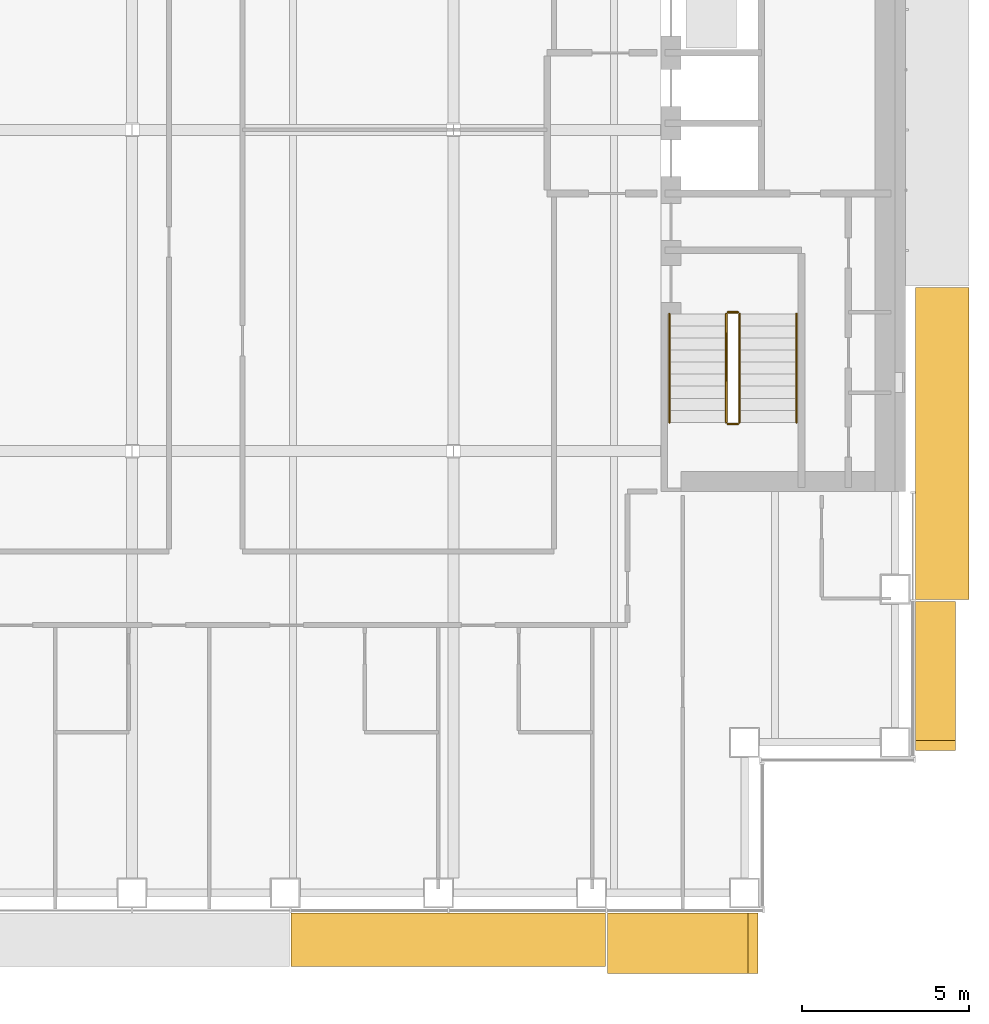
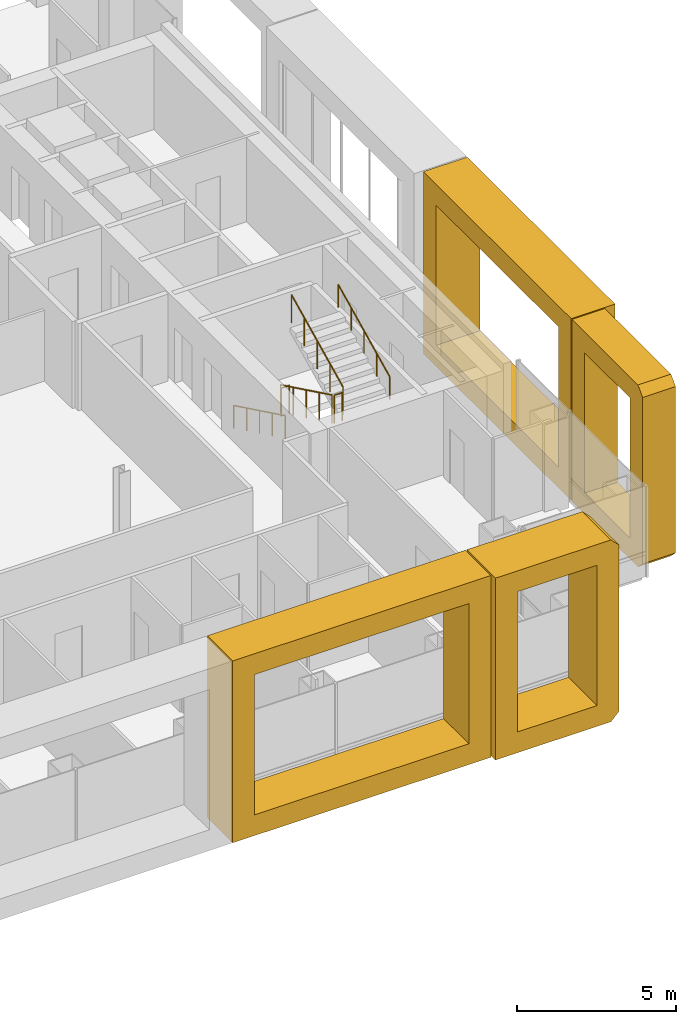
# One storey, part 17 of 20: 6 railings, 4 coverings.
"""IFC4 building model written with IfcOpenShell, lengths in metres."""

import ifcopenshell
import ifcopenshell.guid

model = None  # the IFC model being written
_history = None  # IfcOwnerHistory: only IFC2X3 demands one
_inside = {}  # id of a spatial element -> (the spatial element, [elements in it])
_under = {}  # id of a project, library or spatial element -> (it, [spatial elements below it])
_declared = {}  # id of a project -> (the project, [libraries it declares])
_typed = {}  # id of a type object -> (the type object, [elements of that type])
_made_of = {}  # id of a material, layer set ... -> (it, [elements and type objects made of it])


def new_model(schema):
    """Start an empty IFC model of exactly this schema.

    Asked for "IFC4X3", IfcOpenShell would pick the latest addendum, in which some entities
    have other attributes; the version numbers below select the first issue.
    IFC2X3 requires an IfcOwnerHistory on every rooted entity: one is made here for all.
    """
    global model, _history
    if schema == "IFC4X3":
        model = ifcopenshell.file(schema_version=(4, 3, 0, 0))
    else:
        model = ifcopenshell.file(schema=schema)
    _inside.clear()
    _under.clear()
    _declared.clear()
    _typed.clear()
    _made_of.clear()
    _history = None
    if model.schema == "IFC2X3":
        org = make("IfcOrganization", Name="unknown")
        user = make(
            "IfcPersonAndOrganization",
            ThePerson=make("IfcPerson", FamilyName="unknown"),
            TheOrganization=org,
        )
        app = make(
            "IfcApplication",
            ApplicationDeveloper=org,
            Version="unknown",
            ApplicationFullName="unknown",
            ApplicationIdentifier="unknown",
        )
        _history = make(
            "IfcOwnerHistory",
            OwningUser=user,
            OwningApplication=app,
            ChangeAction="ADDED",
            CreationDate=0,
        )
    return model


def make(cls, **values):
    """One entity of the class cls with the attributes given. An attribute that is None is left unset."""
    return model.create_entity(
        cls, **{name: value for name, value in values.items() if value is not None}
    )


def rooted(cls, **values):
    """An entity with a GlobalId (a new one), such as an element, a storey or a relation."""
    return make(cls, GlobalId=ifcopenshell.guid.new(), OwnerHistory=_history, **values)


def si_unit(unit_type, name, prefix=None):
    """IfcSIUnit, for example si_unit("LENGTHUNIT", "METRE", prefix="MILLI")."""
    return make("IfcSIUnit", UnitType=unit_type, Prefix=prefix, Name=name)


def assignment(units):
    """IfcUnitAssignment: the units of a project."""
    return None if units is None else make("IfcUnitAssignment", Units=units)


def point(xyz):
    """IfcCartesianPoint."""
    return None if xyz is None else make("IfcCartesianPoint", Coordinates=xyz)


def direction(xyz):
    """IfcDirection."""
    return None if xyz is None else make("IfcDirection", DirectionRatios=xyz)


def frame(location, z_axis=None, x_axis=None):
    """IfcAxis2Placement3D, a coordinate frame: its origin and axes. An axis left out is left unset."""
    return make(
        "IfcAxis2Placement3D",
        Location=point(location),
        Axis=direction(z_axis),
        RefDirection=direction(x_axis),
    )


def frame_2d(location, x_axis=None):
    """IfcAxis2Placement2D, a coordinate frame in the plane: its origin and x axis."""
    return make(
        "IfcAxis2Placement2D", Location=point(location), RefDirection=direction(x_axis)
    )


def origin():
    """The frame at (0, 0, 0) with its axes left unset."""
    return frame((0.0, 0.0, 0.0))


def origin_2d():
    """The frame at (0, 0) in the plane with its x axis left unset."""
    return frame_2d((0.0, 0.0))


def place(relative_to, where):
    """IfcLocalPlacement: puts the frame where relative to a parent placement (None: the world)."""
    return make(
        "IfcLocalPlacement", PlacementRelTo=relative_to, RelativePlacement=where
    )


def context(
    kind, dimensions, precision=None, world=None, true_north=None, identifier=None
):
    """IfcGeometricRepresentationContext, for example the 3D "Model" context."""
    return make(
        "IfcGeometricRepresentationContext",
        ContextIdentifier=identifier,
        ContextType=kind,
        CoordinateSpaceDimension=dimensions,
        Precision=precision,
        WorldCoordinateSystem=world,
        TrueNorth=true_north,
    )


def subcontext(parent, identifier, kind, view, scale=None):
    """IfcGeometricRepresentationSubContext, for example "Body" below "Model"."""
    return make(
        "IfcGeometricRepresentationSubContext",
        ContextIdentifier=identifier,
        ContextType=kind,
        ParentContext=parent,
        TargetScale=scale,
        TargetView=view,
    )


def project(units=None, contexts=None):
    """IfcProject with its units and contexts."""
    return rooted(
        "IfcProject",
        Name="project",
        RepresentationContexts=contexts,
        UnitsInContext=assignment(units),
    )


def spatial(cls, under=None, at=None, **own):
    """A site, building, storey or space (cls), placed at a placement, below another one or the project."""
    s = rooted(cls, ObjectPlacement=at, **own)
    if under is not None:
        _under.setdefault(under.id(), (under, []))[1].append(s)
    return s


def polyline(points):
    """IfcPolyline through the points."""
    return make("IfcPolyline", Points=[point(p) for p in points])


def profile(cls, at=None, kind="AREA", **sizes):
    """A parametric profile (cls). Its sizes go by their IFC names, for example OverallWidth=200.0."""
    return make(cls, ProfileType=kind, Position=at, **sizes)


def circle(**sizes):
    """IfcCircleProfileDef."""
    return profile("IfcCircleProfileDef", **sizes)


def outline(outer, holes=None, kind="AREA"):
    """IfcArbitraryClosedProfileDef: a profile drawn as a closed curve; with holes, ...WithVoids."""
    if holes is None:
        return make("IfcArbitraryClosedProfileDef", ProfileType=kind, OuterCurve=outer)
    return make(
        "IfcArbitraryProfileDefWithVoids",
        ProfileType=kind,
        OuterCurve=outer,
        InnerCurves=holes,
    )


def extrude(swept, where, along, depth):
    """IfcExtrudedAreaSolid: the profile swept, set in the frame where, extruded along a direction by depth."""
    return make(
        "IfcExtrudedAreaSolid",
        SweptArea=swept,
        Position=where,
        ExtrudedDirection=direction(along),
        Depth=depth,
    )


def shape(context_of_items, identifier, shape_type, items):
    """IfcShapeRepresentation: the items that make up one representation, for example the "Body"."""
    return make(
        "IfcShapeRepresentation",
        ContextOfItems=context_of_items,
        RepresentationIdentifier=identifier,
        RepresentationType=shape_type,
        Items=items,
    )


def material(Name=None, Category=None):
    """IfcMaterial."""
    return make("IfcMaterial", Name=Name, Category=Category)


def made_of(thing, what):
    """Note that an element or type object is made of a material, layer set ...; save() writes the relation."""
    if what is not None:
        _made_of.setdefault(what.id(), (what, []))[1].append(thing)
    return thing


def type_object(cls, material=None, **own):
    """A type object (cls), such as IfcWallType, which elements share."""
    return made_of(rooted(cls, **own), material)


def element(
    cls,
    number,
    at=None,
    inside=None,
    cuts=None,
    type_object=None,
    material=None,
    context=None,
    identifier="Body",
    shape_type=None,
    held_by="IfcProductDefinitionShape",
    body=None,
    shapes=None,
    **own,
):
    """One element of the class cls, such as IfcWall. Its Tag is "e" and its number.

    at: its placement. inside: the storey or other place that contains it. cuts: it is an
    opening in that element (IfcRelVoidsElement). A single representation is given by context,
    identifier, shape_type and body (its items); several are given by shapes. held_by: the class
    of the entity that holds the representations. save() writes the other relations.
    """
    e = rooted(cls, Tag="e%d" % number, ObjectPlacement=at, **own)
    if body is not None:
        shapes = [shape(context, identifier, shape_type, body)]
    if shapes is not None:
        e.Representation = make(held_by, Representations=shapes)
    if inside is not None:
        _inside.setdefault(inside.id(), (inside, []))[1].append(e)
    if cuts is not None:
        rooted(
            "IfcRelVoidsElement", RelatingBuildingElement=cuts, RelatedOpeningElement=e
        )
    if type_object is not None:
        _typed.setdefault(type_object.id(), (type_object, []))[1].append(e)
    return made_of(e, material)


def aggregate(whole, parts):
    """IfcRelAggregates: a whole, such as a stair, and the parts it consists of."""
    return rooted("IfcRelAggregates", RelatingObject=whole, RelatedObjects=parts)


def save(model, path):
    """Write the relations noted so far, then the file.

    IfcRelAggregates (storeys below a building ...), IfcRelContainedInSpatialStructure (elements
    in a storey), IfcRelDefinesByType, IfcRelAssociatesMaterial and IfcRelDeclares: one each for
    every whole, place, type object, material and project.
    """
    for whole, parts in _under.values():
        aggregate(whole, parts)
    for where, things in _inside.values():
        rooted(
            "IfcRelContainedInSpatialStructure",
            RelatedElements=things,
            RelatingStructure=where,
        )
    for kind, things in _typed.values():
        rooted("IfcRelDefinesByType", RelatedObjects=things, RelatingType=kind)
    for what, things in _made_of.values():
        rooted("IfcRelAssociatesMaterial", RelatedObjects=things, RelatingMaterial=what)
    for by, libraries in _declared.values():
        rooted("IfcRelDeclares", RelatingContext=by, RelatedDefinitions=libraries)
    model.write(path)


model = new_model("IFC4")

# Units and contexts
model_context = context("Model", 3, precision=1e-05, world=origin(), true_north=direction((0.0, 1.0)))
body_context = subcontext(model_context, "Body", "Model", "MODEL_VIEW")
ifc_project = project(units=[si_unit("LENGTHUNIT", "METRE"), si_unit("AREAUNIT", "SQUARE_METRE"), si_unit("VOLUMEUNIT", "CUBIC_METRE"), si_unit("PLANEANGLEUNIT", "RADIAN"), si_unit("MASSUNIT", "GRAM", prefix="KILO")], contexts=[model_context])

# Site, building, storey
site_placement = place(None, origin())
site = spatial("IfcSite", under=ifc_project, at=site_placement, CompositionType="ELEMENT")
building_placement = place(site_placement, origin())
building = spatial("IfcBuilding", under=site, at=building_placement, Name="Cobrizo Arcos Hotel Tower", CompositionType="ELEMENT")
storey_placement = place(building_placement, frame((0.0, 0.0, 96.0)))
storey = spatial("IfcBuildingStorey", under=building, at=storey_placement, Name="L23", CompositionType="ELEMENT", Elevation=96.0)

# Coverings
ifc_material_1 = material(Name="Aluminium 6063-T6 anodised bronze", Category="aluminium")
covering_type_1 = type_object("IfcCoveringType", Name="FIN-F 1200", PredefinedType="CLADDING", material=ifc_material_1)
covering_1_placement = place(storey_placement, frame((23.39990234375, -18.550048828125, 0.0), z_axis=(1.0, 0.0, 0.0), x_axis=(0.0, 1.0, 0.0)))
element("IfcCovering", 1, at=covering_1_placement, inside=storey, type_object=covering_type_1, Name="Fin frame 106", PredefinedType="CLADDING", context=body_context, shape_type="SweptSolid", body=[
    extrude(outline(polyline([(0.0, 0.300048828125), (0.300048828125, 0.0), (4.46240234375, 0.0), (4.46240234375, 7.0), (0.300048828125, 7.0), (0.0, 6.699951171875), (0.0, 0.300048828125)]), holes=[polyline([(3.66259765625, 0.800048828125), (0.800048828125, 0.800048828125), (0.800048828125, 6.199951171875), (3.66259765625, 6.199951171875), (3.66259765625, 0.800048828125)])]), origin(), (0.0, 0.0, 1.0), 1.2001953125),
])
covering_type_2 = type_object("IfcCoveringType", Name="FIN-F 1600", PredefinedType="CLADDING", material=ifc_material_1)
covering_2_placement = place(storey_placement, frame((23.39990234375, -14.03759765625, 0.0), z_axis=(1.0, 0.0, 0.0), x_axis=(0.0, 1.0, 0.0)))
element("IfcCovering", 2, at=covering_2_placement, inside=storey, type_object=covering_type_2, Name="Fin frame 107", PredefinedType="CLADDING", context=body_context, shape_type="SweptSolid", body=[
    extrude(outline(polyline([(0.0, 7.0), (0.0, 0.0), (9.324951171875, 0.0), (9.324951171875, 7.0), (0.0, 7.0)]), holes=[polyline([(8.52490234375, 0.800048828125), (0.800048828125, 0.800048828125), (0.800048828125, 6.199951171875), (8.52490234375, 6.199951171875), (8.52490234375, 0.800048828125)])]), origin(), (0.0, 0.0, 1.0), 1.60009765625),
])
covering_3_placement = place(storey_placement, frame((4.75, -23.39990234375, 0.0), z_axis=(0.0, -1.0, 0.0), x_axis=(1.0, 0.0, 0.0)))
element("IfcCovering", 3, at=covering_3_placement, inside=storey, type_object=covering_type_2, Name="Fin frame 131", PredefinedType="CLADDING", context=body_context, shape_type="SweptSolid", body=[
    extrude(outline(polyline([(0.0, 7.0), (0.0, 0.0), (9.39990234375, 0.0), (9.39990234375, 7.0), (0.0, 7.0)]), holes=[polyline([(8.60009765625, 0.800048828125), (0.800048828125, 0.800048828125), (0.800048828125, 6.199951171875), (8.60009765625, 6.199951171875), (8.60009765625, 0.800048828125)])]), origin(), (0.0, 0.0, 1.0), 1.60009765625),
])
covering_type_3 = type_object("IfcCoveringType", Name="FIN-F 1800", PredefinedType="CLADDING", material=ifc_material_1)
covering_4_placement = place(storey_placement, frame((14.199951171875, -23.39990234375, 0.0), z_axis=(0.0, -1.0, 0.0), x_axis=(1.0, 0.0, 0.0)))
element("IfcCovering", 4, at=covering_4_placement, inside=storey, type_object=covering_type_3, Name="Fin frame 132", PredefinedType="CLADDING", context=body_context, shape_type="SweptSolid", body=[
    extrude(outline(polyline([(0.0, 7.0), (0.0, 0.0), (4.199951171875, 0.0), (4.5, 0.300048828125), (4.5, 6.699951171875), (4.199951171875, 7.0), (0.0, 7.0)]), holes=[polyline([(3.699951171875, 0.800048828125), (0.800048828125, 0.800048828125), (0.800048828125, 6.199951171875), (3.699951171875, 6.199951171875), (3.699951171875, 0.800048828125)])]), origin(), (0.0, 0.0, 1.0), 1.800048828125),
])

# Railings
ifc_material_2 = material(Name="Stainless steel railing", Category="steel")
railing_type_1 = type_object("IfcRailingType", Name="Stair guard 1100", PredefinedType="GUARDRAIL", material=ifc_material_2)
railing_1_placement = place(storey_placement, frame((17.75, -5.5, 0.175048828125)))
element("IfcRailing", 5, at=railing_1_placement, inside=storey, type_object=railing_type_1, Name="L23 ST-E stair guard 1", PredefinedType="GUARDRAIL", context=body_context, shape_type="SweptSolid", body=[
    extrude(circle(Radius=0.02392578125, at=origin_2d()), frame((0.0, 0.0, 1.076171875), z_axis=(0.0, -0.899372665325, 0.437182809435), x_axis=(1.0, 0.0, 0.0)), (0.0, 0.0, 1.0), 3.6025390625),
    extrude(circle(Radius=0.02099609375, at=origin_2d()), origin(), (0.0, 0.0, 1.0), 1.052001953125),
    extrude(circle(Radius=0.02099609375, at=origin_2d()), frame((0.0, -0.81005859375, 0.393798828125)), (0.0, 0.0, 1.0), 1.052001953125),
    extrude(circle(Radius=0.02099609375, at=origin_2d()), frame((0.0, -1.6201171875, 0.78759765625)), (0.0, 0.0, 1.0), 1.052001953125),
    extrude(circle(Radius=0.02099609375, at=origin_2d()), frame((0.0, -2.429931640625, 1.18115234375)), (0.0, 0.0, 1.0), 1.052001953125),
    extrude(circle(Radius=0.02099609375, at=origin_2d()), frame((0.0, -3.239990234375, 1.574951171875)), (0.0, 0.0, 1.0), 1.052001953125),
])
railing_2_placement = place(storey_placement, frame((17.800048828125, -8.7900390625, 1.75)))
element("IfcRailing", 6, at=railing_2_placement, inside=storey, type_object=railing_type_1, Name="L23 ST-E stair guard 2", PredefinedType="GUARDRAIL", context=body_context, shape_type="SweptSolid", body=[
    extrude(circle(Radius=0.02392578125, at=origin_2d()), frame((0.0, 0.0, 1.076171875), z_axis=(1.0, 0.0, 0.0), x_axis=(0.0, 1.0, 0.0)), (0.0, 0.0, 1.0), 0.300048828125),
    extrude(circle(Radius=0.02099609375, at=origin_2d()), origin(), (0.0, 0.0, 1.0), 1.052001953125),
    extrude(circle(Radius=0.02099609375, at=origin_2d()), frame((0.300048828125, 0.0, 0.0)), (0.0, 0.0, 1.0), 1.052001953125),
])
railing_3_placement = place(storey_placement, frame((18.14990234375, -8.739990234375, 1.925048828125)))
element("IfcRailing", 7, at=railing_3_placement, inside=storey, type_object=railing_type_1, Name="L23 ST-E stair guard 3", PredefinedType="GUARDRAIL", context=body_context, shape_type="SweptSolid", body=[
    extrude(circle(Radius=0.02392578125, at=origin_2d()), frame((0.0, 0.0, 1.076171875), z_axis=(0.0, 0.899372665325, 0.437182809435), x_axis=(-1.0, 0.0, 0.0)), (0.0, 0.0, 1.0), 3.6025390625),
    extrude(circle(Radius=0.02099609375, at=origin_2d()), origin(), (0.0, 0.0, 1.0), 1.052001953125),
    extrude(circle(Radius=0.02099609375, at=origin_2d()), frame((0.0, 0.81005859375, 0.393798828125)), (0.0, 0.0, 1.0), 1.052001953125),
    extrude(circle(Radius=0.02099609375, at=origin_2d()), frame((0.0, 1.6201171875, 0.78759765625)), (0.0, 0.0, 1.0), 1.052001953125),
    extrude(circle(Radius=0.02099609375, at=origin_2d()), frame((0.0, 2.429931640625, 1.18115234375)), (0.0, 0.0, 1.0), 1.052001953125),
    extrude(circle(Radius=0.02099609375, at=origin_2d()), frame((0.0, 3.239990234375, 1.574951171875)), (0.0, 0.0, 1.0), 1.052001953125),
])
railing_4_placement = place(storey_placement, frame((17.800048828125, -5.449951171875, 0.0)))
element("IfcRailing", 8, at=railing_4_placement, inside=storey, type_object=railing_type_1, Name="L23 ST-E stair guard 4", PredefinedType="GUARDRAIL", context=body_context, shape_type="SweptSolid", body=[
    extrude(circle(Radius=0.02392578125, at=origin_2d()), frame((0.0, 0.0, 1.076171875), z_axis=(1.0, 0.0, 0.0), x_axis=(0.0, 1.0, 0.0)), (0.0, 0.0, 1.0), 0.300048828125),
    extrude(circle(Radius=0.02099609375, at=origin_2d()), origin(), (0.0, 0.0, 1.0), 1.052001953125),
    extrude(circle(Radius=0.02099609375, at=origin_2d()), frame((0.300048828125, 0.0, 0.0)), (0.0, 0.0, 1.0), 1.052001953125),
])
railing_type_2 = type_object("IfcRailingType", Name="Stair handrail", PredefinedType="HANDRAIL", material=ifc_material_2)
railing_5_placement = place(storey_placement, frame((16.050048828125, -5.5, 0.175048828125)))
element("IfcRailing", 9, at=railing_5_placement, inside=storey, type_object=railing_type_2, Name="L23 ST-E stair handrail 1", PredefinedType="HANDRAIL", context=body_context, shape_type="SweptSolid", body=[
    extrude(circle(Radius=0.02392578125, at=origin_2d()), frame((0.0, 0.0, 0.8759765625), z_axis=(0.0, -0.899372665325, 0.437182809435), x_axis=(1.0, 0.0, 0.0)), (0.0, 0.0, 1.0), 3.6025390625),
    extrude(circle(Radius=0.02099609375, at=origin_2d()), origin(), (0.0, 0.0, 1.0), 0.851806640625),
    extrude(circle(Radius=0.02099609375, at=origin_2d()), frame((0.0, -0.81005859375, 0.393798828125)), (0.0, 0.0, 1.0), 0.851806640625),
    extrude(circle(Radius=0.02099609375, at=origin_2d()), frame((0.0, -1.6201171875, 0.78759765625)), (0.0, 0.0, 1.0), 0.851806640625),
    extrude(circle(Radius=0.02099609375, at=origin_2d()), frame((0.0, -2.429931640625, 1.18115234375)), (0.0, 0.0, 1.0), 0.851806640625),
    extrude(circle(Radius=0.02099609375, at=origin_2d()), frame((0.0, -3.239990234375, 1.574951171875)), (0.0, 0.0, 1.0), 0.851806640625),
])
railing_6_placement = place(storey_placement, frame((19.85009765625, -8.739990234375, 1.925048828125)))
element("IfcRailing", 10, at=railing_6_placement, inside=storey, type_object=railing_type_2, Name="L23 ST-E stair handrail 2", PredefinedType="HANDRAIL", context=body_context, shape_type="SweptSolid", body=[
    extrude(circle(Radius=0.02392578125, at=origin_2d()), frame((0.0, 0.0, 0.8759765625), z_axis=(0.0, 0.899372665325, 0.437182809435), x_axis=(-1.0, 0.0, 0.0)), (0.0, 0.0, 1.0), 3.6025390625),
    extrude(circle(Radius=0.02099609375, at=origin_2d()), origin(), (0.0, 0.0, 1.0), 0.851806640625),
    extrude(circle(Radius=0.02099609375, at=origin_2d()), frame((0.0, 0.81005859375, 0.393798828125)), (0.0, 0.0, 1.0), 0.851806640625),
    extrude(circle(Radius=0.02099609375, at=origin_2d()), frame((0.0, 1.6201171875, 0.78759765625)), (0.0, 0.0, 1.0), 0.851806640625),
    extrude(circle(Radius=0.02099609375, at=origin_2d()), frame((0.0, 2.429931640625, 1.18115234375)), (0.0, 0.0, 1.0), 0.851806640625),
    extrude(circle(Radius=0.02099609375, at=origin_2d()), frame((0.0, 3.239990234375, 1.574951171875)), (0.0, 0.0, 1.0), 0.851806640625),
])

save(model, "model.ifc")
